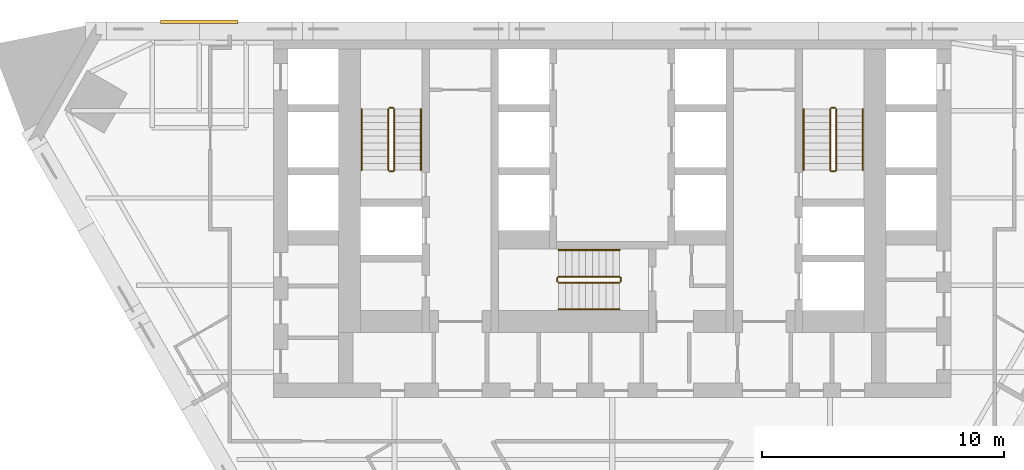
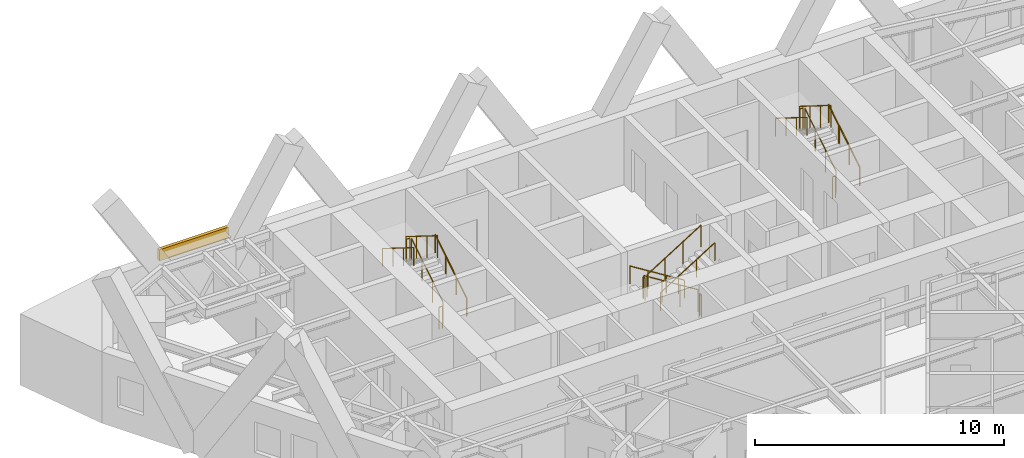
# One storey, part 8 of 8: 18 railings, 1 covering.
"""IFC4 building model written with IfcOpenShell, lengths in metres."""

import ifcopenshell
import ifcopenshell.guid

model = None  # the IFC model being written
_history = None  # IfcOwnerHistory: only IFC2X3 demands one
_inside = {}  # id of a spatial element -> (the spatial element, [elements in it])
_under = {}  # id of a project, library or spatial element -> (it, [spatial elements below it])
_declared = {}  # id of a project -> (the project, [libraries it declares])
_typed = {}  # id of a type object -> (the type object, [elements of that type])
_made_of = {}  # id of a material, layer set ... -> (it, [elements and type objects made of it])


def new_model(schema):
    """Start an empty IFC model of exactly this schema.

    Asked for "IFC4X3", IfcOpenShell would pick the latest addendum, in which some entities
    have other attributes; the version numbers below select the first issue.
    IFC2X3 requires an IfcOwnerHistory on every rooted entity: one is made here for all.
    """
    global model, _history
    if schema == "IFC4X3":
        model = ifcopenshell.file(schema_version=(4, 3, 0, 0))
    else:
        model = ifcopenshell.file(schema=schema)
    _inside.clear()
    _under.clear()
    _declared.clear()
    _typed.clear()
    _made_of.clear()
    _history = None
    if model.schema == "IFC2X3":
        org = make("IfcOrganization", Name="unknown")
        user = make(
            "IfcPersonAndOrganization",
            ThePerson=make("IfcPerson", FamilyName="unknown"),
            TheOrganization=org,
        )
        app = make(
            "IfcApplication",
            ApplicationDeveloper=org,
            Version="unknown",
            ApplicationFullName="unknown",
            ApplicationIdentifier="unknown",
        )
        _history = make(
            "IfcOwnerHistory",
            OwningUser=user,
            OwningApplication=app,
            ChangeAction="ADDED",
            CreationDate=0,
        )
    return model


def make(cls, **values):
    """One entity of the class cls with the attributes given. An attribute that is None is left unset."""
    return model.create_entity(
        cls, **{name: value for name, value in values.items() if value is not None}
    )


def rooted(cls, **values):
    """An entity with a GlobalId (a new one), such as an element, a storey or a relation."""
    return make(cls, GlobalId=ifcopenshell.guid.new(), OwnerHistory=_history, **values)


def si_unit(unit_type, name, prefix=None):
    """IfcSIUnit, for example si_unit("LENGTHUNIT", "METRE", prefix="MILLI")."""
    return make("IfcSIUnit", UnitType=unit_type, Prefix=prefix, Name=name)


def assignment(units):
    """IfcUnitAssignment: the units of a project."""
    return None if units is None else make("IfcUnitAssignment", Units=units)


def point(xyz):
    """IfcCartesianPoint."""
    return None if xyz is None else make("IfcCartesianPoint", Coordinates=xyz)


def direction(xyz):
    """IfcDirection."""
    return None if xyz is None else make("IfcDirection", DirectionRatios=xyz)


def frame(location, z_axis=None, x_axis=None):
    """IfcAxis2Placement3D, a coordinate frame: its origin and axes. An axis left out is left unset."""
    return make(
        "IfcAxis2Placement3D",
        Location=point(location),
        Axis=direction(z_axis),
        RefDirection=direction(x_axis),
    )


def frame_2d(location, x_axis=None):
    """IfcAxis2Placement2D, a coordinate frame in the plane: its origin and x axis."""
    return make(
        "IfcAxis2Placement2D", Location=point(location), RefDirection=direction(x_axis)
    )


def origin():
    """The frame at (0, 0, 0) with its axes left unset."""
    return frame((0.0, 0.0, 0.0))


def origin_2d():
    """The frame at (0, 0) in the plane with its x axis left unset."""
    return frame_2d((0.0, 0.0))


def place(relative_to, where):
    """IfcLocalPlacement: puts the frame where relative to a parent placement (None: the world)."""
    return make(
        "IfcLocalPlacement", PlacementRelTo=relative_to, RelativePlacement=where
    )


def context(
    kind, dimensions, precision=None, world=None, true_north=None, identifier=None
):
    """IfcGeometricRepresentationContext, for example the 3D "Model" context."""
    return make(
        "IfcGeometricRepresentationContext",
        ContextIdentifier=identifier,
        ContextType=kind,
        CoordinateSpaceDimension=dimensions,
        Precision=precision,
        WorldCoordinateSystem=world,
        TrueNorth=true_north,
    )


def subcontext(parent, identifier, kind, view, scale=None):
    """IfcGeometricRepresentationSubContext, for example "Body" below "Model"."""
    return make(
        "IfcGeometricRepresentationSubContext",
        ContextIdentifier=identifier,
        ContextType=kind,
        ParentContext=parent,
        TargetScale=scale,
        TargetView=view,
    )


def project(units=None, contexts=None):
    """IfcProject with its units and contexts."""
    return rooted(
        "IfcProject",
        Name="project",
        RepresentationContexts=contexts,
        UnitsInContext=assignment(units),
    )


def spatial(cls, under=None, at=None, **own):
    """A site, building, storey or space (cls), placed at a placement, below another one or the project."""
    s = rooted(cls, ObjectPlacement=at, **own)
    if under is not None:
        _under.setdefault(under.id(), (under, []))[1].append(s)
    return s


def polyline(points):
    """IfcPolyline through the points."""
    return make("IfcPolyline", Points=[point(p) for p in points])


def profile(cls, at=None, kind="AREA", **sizes):
    """A parametric profile (cls). Its sizes go by their IFC names, for example OverallWidth=200.0."""
    return make(cls, ProfileType=kind, Position=at, **sizes)


def circle(**sizes):
    """IfcCircleProfileDef."""
    return profile("IfcCircleProfileDef", **sizes)


def outline(outer, holes=None, kind="AREA"):
    """IfcArbitraryClosedProfileDef: a profile drawn as a closed curve; with holes, ...WithVoids."""
    if holes is None:
        return make("IfcArbitraryClosedProfileDef", ProfileType=kind, OuterCurve=outer)
    return make(
        "IfcArbitraryProfileDefWithVoids",
        ProfileType=kind,
        OuterCurve=outer,
        InnerCurves=holes,
    )


def extrude(swept, where, along, depth):
    """IfcExtrudedAreaSolid: the profile swept, set in the frame where, extruded along a direction by depth."""
    return make(
        "IfcExtrudedAreaSolid",
        SweptArea=swept,
        Position=where,
        ExtrudedDirection=direction(along),
        Depth=depth,
    )


def shape(context_of_items, identifier, shape_type, items):
    """IfcShapeRepresentation: the items that make up one representation, for example the "Body"."""
    return make(
        "IfcShapeRepresentation",
        ContextOfItems=context_of_items,
        RepresentationIdentifier=identifier,
        RepresentationType=shape_type,
        Items=items,
    )


def material(Name=None, Category=None):
    """IfcMaterial."""
    return make("IfcMaterial", Name=Name, Category=Category)


def layer(
    of_material, thickness, ventilated=None, Name=None, Category=None, Priority=None
):
    """IfcMaterialLayer: one layer of a wall or slab, of a material (None: an air gap)."""
    return make(
        "IfcMaterialLayer",
        Material=of_material,
        LayerThickness=thickness,
        IsVentilated=ventilated,
        Name=Name,
        Category=Category,
        Priority=Priority,
    )


def layer_set(layers, Name=None):
    """IfcMaterialLayerSet."""
    return make("IfcMaterialLayerSet", MaterialLayers=layers, LayerSetName=Name)


def made_of(thing, what):
    """Note that an element or type object is made of a material, layer set ...; save() writes the relation."""
    if what is not None:
        _made_of.setdefault(what.id(), (what, []))[1].append(thing)
    return thing


def type_object(cls, material=None, **own):
    """A type object (cls), such as IfcWallType, which elements share."""
    return made_of(rooted(cls, **own), material)


def element(
    cls,
    number,
    at=None,
    inside=None,
    cuts=None,
    type_object=None,
    material=None,
    context=None,
    identifier="Body",
    shape_type=None,
    held_by="IfcProductDefinitionShape",
    body=None,
    shapes=None,
    **own,
):
    """One element of the class cls, such as IfcWall. Its Tag is "e" and its number.

    at: its placement. inside: the storey or other place that contains it. cuts: it is an
    opening in that element (IfcRelVoidsElement). A single representation is given by context,
    identifier, shape_type and body (its items); several are given by shapes. held_by: the class
    of the entity that holds the representations. save() writes the other relations.
    """
    e = rooted(cls, Tag="e%d" % number, ObjectPlacement=at, **own)
    if body is not None:
        shapes = [shape(context, identifier, shape_type, body)]
    if shapes is not None:
        e.Representation = make(held_by, Representations=shapes)
    if inside is not None:
        _inside.setdefault(inside.id(), (inside, []))[1].append(e)
    if cuts is not None:
        rooted(
            "IfcRelVoidsElement", RelatingBuildingElement=cuts, RelatedOpeningElement=e
        )
    if type_object is not None:
        _typed.setdefault(type_object.id(), (type_object, []))[1].append(e)
    return made_of(e, material)


def aggregate(whole, parts):
    """IfcRelAggregates: a whole, such as a stair, and the parts it consists of."""
    return rooted("IfcRelAggregates", RelatingObject=whole, RelatedObjects=parts)


def save(model, path):
    """Write the relations noted so far, then the file.

    IfcRelAggregates (storeys below a building ...), IfcRelContainedInSpatialStructure (elements
    in a storey), IfcRelDefinesByType, IfcRelAssociatesMaterial and IfcRelDeclares: one each for
    every whole, place, type object, material and project.
    """
    for whole, parts in _under.values():
        aggregate(whole, parts)
    for where, things in _inside.values():
        rooted(
            "IfcRelContainedInSpatialStructure",
            RelatedElements=things,
            RelatingStructure=where,
        )
    for kind, things in _typed.values():
        rooted("IfcRelDefinesByType", RelatedObjects=things, RelatingType=kind)
    for what, things in _made_of.values():
        rooted("IfcRelAssociatesMaterial", RelatedObjects=things, RelatingMaterial=what)
    for by, libraries in _declared.values():
        rooted("IfcRelDeclares", RelatingContext=by, RelatedDefinitions=libraries)
    model.write(path)


model = new_model("IFC4")

# Units and contexts
model_context = context("Model", 3, precision=1e-05, world=origin(), true_north=direction((0.0, 1.0)))
body_context = subcontext(model_context, "Body", "Model", "MODEL_VIEW")
ifc_project = project(units=[si_unit("LENGTHUNIT", "METRE"), si_unit("AREAUNIT", "SQUARE_METRE"), si_unit("VOLUMEUNIT", "CUBIC_METRE"), si_unit("PLANEANGLEUNIT", "RADIAN"), si_unit("MASSUNIT", "GRAM", prefix="KILO")], contexts=[model_context])

# Site, building, storey
site_placement = place(None, origin())
site = spatial("IfcSite", under=ifc_project, at=site_placement, CompositionType="ELEMENT")
building_placement = place(site_placement, origin())
building = spatial("IfcBuilding", under=site, at=building_placement, Name="Aloe Facet Convention Tower", CompositionType="ELEMENT")
storey_placement = place(building_placement, frame((0.0, 0.0, 88.800048828125)))
storey = spatial("IfcBuildingStorey", under=building, at=storey_placement, Name="L21", CompositionType="ELEMENT", Elevation=88.800048828125)

# Railings
ifc_material_1 = material(Name="Steel S355 balustrade", Category="steel")
railing_type_1 = type_object("IfcRailingType", Name="CR-RL-GUARD", PredefinedType="GUARDRAIL", material=ifc_material_1)
railing_1_placement = place(storey_placement, frame((71.0, 128.949951171875, 0.175048828125)))
element("IfcRailing", 1, at=railing_1_placement, inside=storey, type_object=railing_type_1, Name="L21 ST1 stair guard 1", PredefinedType="GUARDRAIL", context=body_context, shape_type="SweptSolid", body=[
    extrude(circle(Radius=0.02392578125, at=origin_2d()), frame((0.0, 0.0, 1.076171875), z_axis=(0.0, 0.848007534815, 0.529984170421), x_axis=(-1.0, 0.0, 0.0)), (0.0, 0.0, 1.0), 2.9716796875),
    extrude(circle(Radius=0.02099609375, at=origin_2d()), origin(), (0.0, 0.0, 1.0), 1.052001953125),
    extrude(circle(Radius=0.02099609375, at=origin_2d()), frame((0.0, 0.840087890625, 0.52490234375)), (0.0, 0.0, 1.0), 1.052001953125),
    extrude(circle(Radius=0.02099609375, at=origin_2d()), frame((0.0, 1.679931640625, 1.050048828125)), (0.0, 0.0, 1.0), 1.052001953125),
    extrude(circle(Radius=0.02099609375, at=origin_2d()), frame((0.0, 2.52001953125, 1.574951171875)), (0.0, 0.0, 1.0), 1.052001953125),
])
railing_2_placement = place(storey_placement, frame((70.949951171875, 131.52001953125, 1.75)))
element("IfcRailing", 2, at=railing_2_placement, inside=storey, type_object=railing_type_1, Name="L21 ST1 stair guard 2", PredefinedType="GUARDRAIL", context=body_context, shape_type="SweptSolid", body=[
    extrude(circle(Radius=0.02392578125, at=origin_2d()), frame((0.0, 0.0, 1.076171875), z_axis=(-1.0, 0.0, 0.0), x_axis=(0.0, -1.0, 0.0)), (0.0, 0.0, 1.0), 0.14990234375),
    extrude(circle(Radius=0.02099609375, at=origin_2d()), origin(), (0.0, 0.0, 1.0), 1.052001953125),
    extrude(circle(Radius=0.02099609375, at=origin_2d()), frame((-0.14990234375, 0.0, 0.0)), (0.0, 0.0, 1.0), 1.052001953125),
])
railing_3_placement = place(storey_placement, frame((70.75, 131.469970703125, 1.925048828125)))
element("IfcRailing", 3, at=railing_3_placement, inside=storey, type_object=railing_type_1, Name="L21 ST1 stair guard 3", PredefinedType="GUARDRAIL", context=body_context, shape_type="SweptSolid", body=[
    extrude(circle(Radius=0.02392578125, at=origin_2d()), frame((0.0, 0.0, 1.076171875), z_axis=(0.0, -0.848007534815, 0.529984170421), x_axis=(1.0, 0.0, 0.0)), (0.0, 0.0, 1.0), 2.9716796875),
    extrude(circle(Radius=0.02099609375, at=origin_2d()), origin(), (0.0, 0.0, 1.0), 1.052001953125),
    extrude(circle(Radius=0.02099609375, at=origin_2d()), frame((0.0, -0.840087890625, 0.52490234375)), (0.0, 0.0, 1.0), 1.052001953125),
    extrude(circle(Radius=0.02099609375, at=origin_2d()), frame((0.0, -1.679931640625, 1.050048828125)), (0.0, 0.0, 1.0), 1.052001953125),
    extrude(circle(Radius=0.02099609375, at=origin_2d()), frame((0.0, -2.52001953125, 1.574951171875)), (0.0, 0.0, 1.0), 1.052001953125),
])
railing_4_placement = place(storey_placement, frame((70.949951171875, 128.89990234375, 0.0)))
element("IfcRailing", 4, at=railing_4_placement, inside=storey, type_object=railing_type_1, Name="L21 ST1 stair guard 4", PredefinedType="GUARDRAIL", context=body_context, shape_type="SweptSolid", body=[
    extrude(circle(Radius=0.02392578125, at=origin_2d()), frame((0.0, 0.0, 1.076171875), z_axis=(-1.0, 0.0, 0.0), x_axis=(0.0, -1.0, 0.0)), (0.0, 0.0, 1.0), 0.14990234375),
    extrude(circle(Radius=0.02099609375, at=origin_2d()), origin(), (0.0, 0.0, 1.0), 1.052001953125),
    extrude(circle(Radius=0.02099609375, at=origin_2d()), frame((-0.14990234375, 0.0, 0.0)), (0.0, 0.0, 1.0), 1.052001953125),
])
railing_5_placement = place(storey_placement, frame((89.25, 128.949951171875, 0.175048828125)))
element("IfcRailing", 5, at=railing_5_placement, inside=storey, type_object=railing_type_1, Name="L21 ST2 stair guard 1", PredefinedType="GUARDRAIL", context=body_context, shape_type="SweptSolid", body=[
    extrude(circle(Radius=0.02392578125, at=origin_2d()), frame((0.0, 0.0, 1.076171875), z_axis=(0.0, 0.848007534815, 0.529984170421), x_axis=(-1.0, 0.0, 0.0)), (0.0, 0.0, 1.0), 2.9716796875),
    extrude(circle(Radius=0.02099609375, at=origin_2d()), origin(), (0.0, 0.0, 1.0), 1.052001953125),
    extrude(circle(Radius=0.02099609375, at=origin_2d()), frame((0.0, 0.840087890625, 0.52490234375)), (0.0, 0.0, 1.0), 1.052001953125),
    extrude(circle(Radius=0.02099609375, at=origin_2d()), frame((0.0, 1.679931640625, 1.050048828125)), (0.0, 0.0, 1.0), 1.052001953125),
    extrude(circle(Radius=0.02099609375, at=origin_2d()), frame((0.0, 2.52001953125, 1.574951171875)), (0.0, 0.0, 1.0), 1.052001953125),
])
railing_6_placement = place(storey_placement, frame((89.199951171875, 131.52001953125, 1.75)))
element("IfcRailing", 6, at=railing_6_placement, inside=storey, type_object=railing_type_1, Name="L21 ST2 stair guard 2", PredefinedType="GUARDRAIL", context=body_context, shape_type="SweptSolid", body=[
    extrude(circle(Radius=0.02392578125, at=origin_2d()), frame((0.0, 0.0, 1.076171875), z_axis=(-1.0, 0.0, 0.0), x_axis=(0.0, -1.0, 0.0)), (0.0, 0.0, 1.0), 0.14990234375),
    extrude(circle(Radius=0.02099609375, at=origin_2d()), origin(), (0.0, 0.0, 1.0), 1.052001953125),
    extrude(circle(Radius=0.02099609375, at=origin_2d()), frame((-0.14990234375, 0.0, 0.0)), (0.0, 0.0, 1.0), 1.052001953125),
])
railing_7_placement = place(storey_placement, frame((89.0, 131.469970703125, 1.925048828125)))
element("IfcRailing", 7, at=railing_7_placement, inside=storey, type_object=railing_type_1, Name="L21 ST2 stair guard 3", PredefinedType="GUARDRAIL", context=body_context, shape_type="SweptSolid", body=[
    extrude(circle(Radius=0.02392578125, at=origin_2d()), frame((0.0, 0.0, 1.076171875), z_axis=(0.0, -0.848007534815, 0.529984170421), x_axis=(1.0, 0.0, 0.0)), (0.0, 0.0, 1.0), 2.9716796875),
    extrude(circle(Radius=0.02099609375, at=origin_2d()), origin(), (0.0, 0.0, 1.0), 1.052001953125),
    extrude(circle(Radius=0.02099609375, at=origin_2d()), frame((0.0, -0.840087890625, 0.52490234375)), (0.0, 0.0, 1.0), 1.052001953125),
    extrude(circle(Radius=0.02099609375, at=origin_2d()), frame((0.0, -1.679931640625, 1.050048828125)), (0.0, 0.0, 1.0), 1.052001953125),
    extrude(circle(Radius=0.02099609375, at=origin_2d()), frame((0.0, -2.52001953125, 1.574951171875)), (0.0, 0.0, 1.0), 1.052001953125),
])
railing_8_placement = place(storey_placement, frame((89.199951171875, 128.89990234375, 0.0)))
element("IfcRailing", 8, at=railing_8_placement, inside=storey, type_object=railing_type_1, Name="L21 ST2 stair guard 4", PredefinedType="GUARDRAIL", context=body_context, shape_type="SweptSolid", body=[
    extrude(circle(Radius=0.02392578125, at=origin_2d()), frame((0.0, 0.0, 1.076171875), z_axis=(-1.0, 0.0, 0.0), x_axis=(0.0, -1.0, 0.0)), (0.0, 0.0, 1.0), 0.14990234375),
    extrude(circle(Radius=0.02099609375, at=origin_2d()), origin(), (0.0, 0.0, 1.0), 1.052001953125),
    extrude(circle(Radius=0.02099609375, at=origin_2d()), frame((-0.14990234375, 0.0, 0.0)), (0.0, 0.0, 1.0), 1.052001953125),
])
railing_9_placement = place(storey_placement, frame((80.300048828125, 124.550048828125, 0.175048828125)))
element("IfcRailing", 9, at=railing_9_placement, inside=storey, type_object=railing_type_1, Name="L21 ST3 stair guard 1", PredefinedType="GUARDRAIL", context=body_context, shape_type="SweptSolid", body=[
    extrude(circle(Radius=0.02392578125, at=origin_2d()), frame((0.0, 0.0, 1.076171875), z_axis=(-0.848007534815, 0.0, 0.529984170421), x_axis=(0.0, -1.0, 0.0)), (0.0, 0.0, 1.0), 2.9716796875),
    extrude(circle(Radius=0.02099609375, at=origin_2d()), origin(), (0.0, 0.0, 1.0), 1.052001953125),
    extrude(circle(Radius=0.02099609375, at=origin_2d()), frame((-0.840087890625, 0.0, 0.52490234375)), (0.0, 0.0, 1.0), 1.052001953125),
    extrude(circle(Radius=0.02099609375, at=origin_2d()), frame((-1.679931640625, 0.0, 1.050048828125)), (0.0, 0.0, 1.0), 1.052001953125),
    extrude(circle(Radius=0.02099609375, at=origin_2d()), frame((-2.52001953125, 0.0, 1.574951171875)), (0.0, 0.0, 1.0), 1.052001953125),
])
railing_10_placement = place(storey_placement, frame((77.72998046875, 124.5, 1.75)))
element("IfcRailing", 10, at=railing_10_placement, inside=storey, type_object=railing_type_1, Name="L21 ST3 stair guard 2", PredefinedType="GUARDRAIL", context=body_context, shape_type="SweptSolid", body=[
    extrude(circle(Radius=0.02392578125, at=origin_2d()), frame((0.0, 0.0, 1.076171875), z_axis=(0.0, -1.0, 0.0), x_axis=(1.0, 0.0, 0.0)), (0.0, 0.0, 1.0), 0.14990234375),
    extrude(circle(Radius=0.02099609375, at=origin_2d()), origin(), (0.0, 0.0, 1.0), 1.052001953125),
    extrude(circle(Radius=0.02099609375, at=origin_2d()), frame((0.0, -0.14990234375, 0.0)), (0.0, 0.0, 1.0), 1.052001953125),
])
railing_11_placement = place(storey_placement, frame((77.780029296875, 124.300048828125, 1.925048828125)))
element("IfcRailing", 11, at=railing_11_placement, inside=storey, type_object=railing_type_1, Name="L21 ST3 stair guard 3", PredefinedType="GUARDRAIL", context=body_context, shape_type="SweptSolid", body=[
    extrude(circle(Radius=0.02392578125, at=origin_2d()), frame((0.0, 0.0, 1.076171875), z_axis=(0.848007534815, 0.0, 0.529984170421), x_axis=(0.0, 1.0, 0.0)), (0.0, 0.0, 1.0), 2.9716796875),
    extrude(circle(Radius=0.02099609375, at=origin_2d()), origin(), (0.0, 0.0, 1.0), 1.052001953125),
    extrude(circle(Radius=0.02099609375, at=origin_2d()), frame((0.840087890625, 0.0, 0.52490234375)), (0.0, 0.0, 1.0), 1.052001953125),
    extrude(circle(Radius=0.02099609375, at=origin_2d()), frame((1.679931640625, 0.0, 1.050048828125)), (0.0, 0.0, 1.0), 1.052001953125),
    extrude(circle(Radius=0.02099609375, at=origin_2d()), frame((2.52001953125, 0.0, 1.574951171875)), (0.0, 0.0, 1.0), 1.052001953125),
])
railing_12_placement = place(storey_placement, frame((80.35009765625, 124.5, 0.0)))
element("IfcRailing", 12, at=railing_12_placement, inside=storey, type_object=railing_type_1, Name="L21 ST3 stair guard 4", PredefinedType="GUARDRAIL", context=body_context, shape_type="SweptSolid", body=[
    extrude(circle(Radius=0.02392578125, at=origin_2d()), frame((0.0, 0.0, 1.076171875), z_axis=(0.0, -1.0, 0.0), x_axis=(1.0, 0.0, 0.0)), (0.0, 0.0, 1.0), 0.14990234375),
    extrude(circle(Radius=0.02099609375, at=origin_2d()), origin(), (0.0, 0.0, 1.0), 1.052001953125),
    extrude(circle(Radius=0.02099609375, at=origin_2d()), frame((0.0, -0.14990234375, 0.0)), (0.0, 0.0, 1.0), 1.052001953125),
])
ifc_material_2 = material(Name="Steel S355 handrail", Category="steel")
railing_type_2 = type_object("IfcRailingType", Name="CR-RL-HAND", PredefinedType="HANDRAIL", material=ifc_material_2)
railing_13_placement = place(storey_placement, frame((72.10009765625, 128.949951171875, 0.175048828125)))
element("IfcRailing", 13, at=railing_13_placement, inside=storey, type_object=railing_type_2, Name="L21 ST1 stair handrail 1", PredefinedType="HANDRAIL", context=body_context, shape_type="SweptSolid", body=[
    extrude(circle(Radius=0.02392578125, at=origin_2d()), frame((0.0, 0.0, 0.8759765625), z_axis=(0.0, 0.848007534815, 0.529984170421), x_axis=(-1.0, 0.0, 0.0)), (0.0, 0.0, 1.0), 2.9716796875),
    extrude(circle(Radius=0.02099609375, at=origin_2d()), origin(), (0.0, 0.0, 1.0), 0.851806640625),
    extrude(circle(Radius=0.02099609375, at=origin_2d()), frame((0.0, 0.840087890625, 0.52490234375)), (0.0, 0.0, 1.0), 0.851806640625),
    extrude(circle(Radius=0.02099609375, at=origin_2d()), frame((0.0, 1.679931640625, 1.050048828125)), (0.0, 0.0, 1.0), 0.851806640625),
    extrude(circle(Radius=0.02099609375, at=origin_2d()), frame((0.0, 2.52001953125, 1.574951171875)), (0.0, 0.0, 1.0), 0.851806640625),
])
railing_14_placement = place(storey_placement, frame((69.64990234375, 131.469970703125, 1.925048828125)))
element("IfcRailing", 14, at=railing_14_placement, inside=storey, type_object=railing_type_2, Name="L21 ST1 stair handrail 2", PredefinedType="HANDRAIL", context=body_context, shape_type="SweptSolid", body=[
    extrude(circle(Radius=0.02392578125, at=origin_2d()), frame((0.0, 0.0, 0.8759765625), z_axis=(0.0, -0.848007534815, 0.529984170421), x_axis=(1.0, 0.0, 0.0)), (0.0, 0.0, 1.0), 2.9716796875),
    extrude(circle(Radius=0.02099609375, at=origin_2d()), origin(), (0.0, 0.0, 1.0), 0.851806640625),
    extrude(circle(Radius=0.02099609375, at=origin_2d()), frame((0.0, -0.840087890625, 0.52490234375)), (0.0, 0.0, 1.0), 0.851806640625),
    extrude(circle(Radius=0.02099609375, at=origin_2d()), frame((0.0, -1.679931640625, 1.050048828125)), (0.0, 0.0, 1.0), 0.851806640625),
    extrude(circle(Radius=0.02099609375, at=origin_2d()), frame((0.0, -2.52001953125, 1.574951171875)), (0.0, 0.0, 1.0), 0.851806640625),
])
railing_15_placement = place(storey_placement, frame((90.35009765625, 128.949951171875, 0.175048828125)))
element("IfcRailing", 15, at=railing_15_placement, inside=storey, type_object=railing_type_2, Name="L21 ST2 stair handrail 1", PredefinedType="HANDRAIL", context=body_context, shape_type="SweptSolid", body=[
    extrude(circle(Radius=0.02392578125, at=origin_2d()), frame((0.0, 0.0, 0.8759765625), z_axis=(0.0, 0.848007534815, 0.529984170421), x_axis=(-1.0, 0.0, 0.0)), (0.0, 0.0, 1.0), 2.9716796875),
    extrude(circle(Radius=0.02099609375, at=origin_2d()), origin(), (0.0, 0.0, 1.0), 0.851806640625),
    extrude(circle(Radius=0.02099609375, at=origin_2d()), frame((0.0, 0.840087890625, 0.52490234375)), (0.0, 0.0, 1.0), 0.851806640625),
    extrude(circle(Radius=0.02099609375, at=origin_2d()), frame((0.0, 1.679931640625, 1.050048828125)), (0.0, 0.0, 1.0), 0.851806640625),
    extrude(circle(Radius=0.02099609375, at=origin_2d()), frame((0.0, 2.52001953125, 1.574951171875)), (0.0, 0.0, 1.0), 0.851806640625),
])
railing_16_placement = place(storey_placement, frame((87.89990234375, 131.469970703125, 1.925048828125)))
element("IfcRailing", 16, at=railing_16_placement, inside=storey, type_object=railing_type_2, Name="L21 ST2 stair handrail 2", PredefinedType="HANDRAIL", context=body_context, shape_type="SweptSolid", body=[
    extrude(circle(Radius=0.02392578125, at=origin_2d()), frame((0.0, 0.0, 0.8759765625), z_axis=(0.0, -0.848007534815, 0.529984170421), x_axis=(1.0, 0.0, 0.0)), (0.0, 0.0, 1.0), 2.9716796875),
    extrude(circle(Radius=0.02099609375, at=origin_2d()), origin(), (0.0, 0.0, 1.0), 0.851806640625),
    extrude(circle(Radius=0.02099609375, at=origin_2d()), frame((0.0, -0.840087890625, 0.52490234375)), (0.0, 0.0, 1.0), 0.851806640625),
    extrude(circle(Radius=0.02099609375, at=origin_2d()), frame((0.0, -1.679931640625, 1.050048828125)), (0.0, 0.0, 1.0), 0.851806640625),
    extrude(circle(Radius=0.02099609375, at=origin_2d()), frame((0.0, -2.52001953125, 1.574951171875)), (0.0, 0.0, 1.0), 0.851806640625),
])
railing_17_placement = place(storey_placement, frame((80.300048828125, 125.64990234375, 0.175048828125)))
element("IfcRailing", 17, at=railing_17_placement, inside=storey, type_object=railing_type_2, Name="L21 ST3 stair handrail 1", PredefinedType="HANDRAIL", context=body_context, shape_type="SweptSolid", body=[
    extrude(circle(Radius=0.02392578125, at=origin_2d()), frame((0.0, 0.0, 0.8759765625), z_axis=(-0.848007534815, 0.0, 0.529984170421), x_axis=(0.0, -1.0, 0.0)), (0.0, 0.0, 1.0), 2.9716796875),
    extrude(circle(Radius=0.02099609375, at=origin_2d()), origin(), (0.0, 0.0, 1.0), 0.851806640625),
    extrude(circle(Radius=0.02099609375, at=origin_2d()), frame((-0.840087890625, 0.0, 0.52490234375)), (0.0, 0.0, 1.0), 0.851806640625),
    extrude(circle(Radius=0.02099609375, at=origin_2d()), frame((-1.679931640625, 0.0, 1.050048828125)), (0.0, 0.0, 1.0), 0.851806640625),
    extrude(circle(Radius=0.02099609375, at=origin_2d()), frame((-2.52001953125, 0.0, 1.574951171875)), (0.0, 0.0, 1.0), 0.851806640625),
])
railing_18_placement = place(storey_placement, frame((77.780029296875, 123.199951171875, 1.925048828125)))
element("IfcRailing", 18, at=railing_18_placement, inside=storey, type_object=railing_type_2, Name="L21 ST3 stair handrail 2", PredefinedType="HANDRAIL", context=body_context, shape_type="SweptSolid", body=[
    extrude(circle(Radius=0.02392578125, at=origin_2d()), frame((0.0, 0.0, 0.8759765625), z_axis=(0.848007534815, 0.0, 0.529984170421), x_axis=(0.0, 1.0, 0.0)), (0.0, 0.0, 1.0), 2.9716796875),
    extrude(circle(Radius=0.02099609375, at=origin_2d()), origin(), (0.0, 0.0, 1.0), 0.851806640625),
    extrude(circle(Radius=0.02099609375, at=origin_2d()), frame((0.840087890625, 0.0, 0.52490234375)), (0.0, 0.0, 1.0), 0.851806640625),
    extrude(circle(Radius=0.02099609375, at=origin_2d()), frame((1.679931640625, 0.0, 1.050048828125)), (0.0, 0.0, 1.0), 0.851806640625),
    extrude(circle(Radius=0.02099609375, at=origin_2d()), frame((2.52001953125, 0.0, 1.574951171875)), (0.0, 0.0, 1.0), 0.851806640625),
])

# Covering
ifc_material_3 = material(Name="Bronze oxide fascia sheet")
ifc_layer = layer(ifc_material_3, 0.14990234375)
ifc_layer_set = layer_set([ifc_layer], Name="EV-FASCIA-TERR")
covering_type = type_object("IfcCoveringType", Name="EV-FASCIA-TERR", PredefinedType="CLADDING", material=ifc_layer_set)
covering_placement = place(storey_placement, frame((0.0, 0.0, 2.949951171875)))
element("IfcCovering", 19, at=covering_placement, inside=storey, type_object=covering_type, Name="Terrace fascia T04 sill", PredefinedType="CLADDING", context=body_context, shape_type="SweptSolid", body=[
    extrude(outline(polyline([(64.542724609375, 135.14990234375), (61.3427734375, 135.14990234375), (61.3427734375, 135.0), (64.542724609375, 135.0), (64.542724609375, 135.14990234375)])), origin(), (0.0, 0.0, 1.0), 0.550048828125),
])

save(model, "model.ifc")
